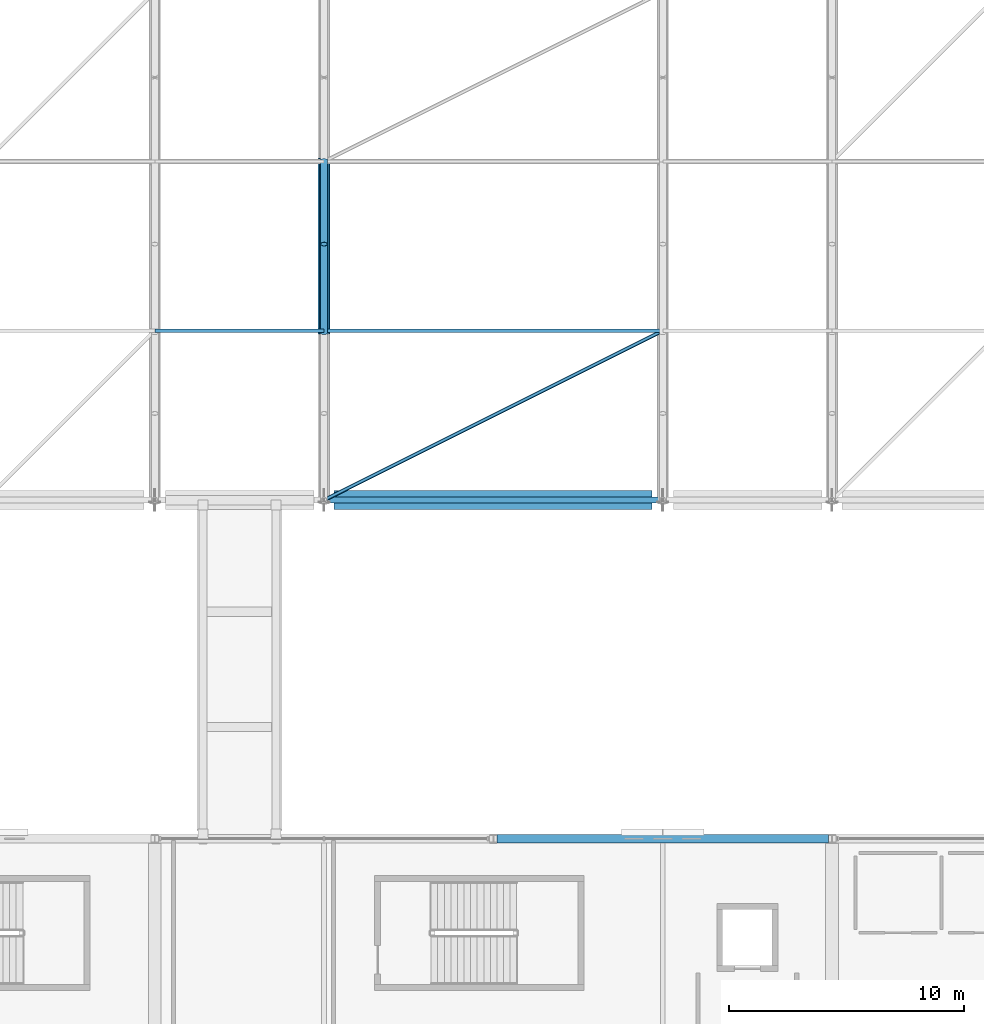
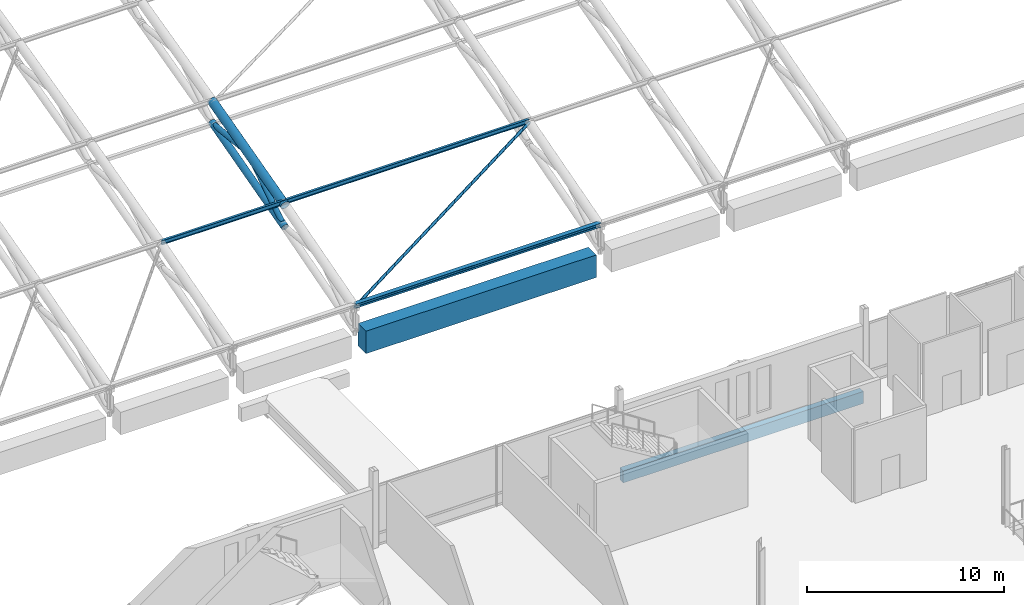
# One storey, part 26 of 193: 8 members, 2 beams.
"""IFC4 building model written with IfcOpenShell, lengths in metres."""

from ifc_helpers import new_model, si_unit, direction, frame, origin, origin_2d, place, context, subcontext, project, spatial, rectangle, hollow_circle, i_section, extrude, material, material_profile, profile_set, type_object, element, save


model = new_model("IFC4")

# Units and contexts
model_context = context("Model", 3, precision=1e-05, world=origin(), true_north=direction((0.0, 1.0)))
body_context = subcontext(model_context, "Body", "Model", "MODEL_VIEW")
ifc_project = project(units=[si_unit("LENGTHUNIT", "METRE"), si_unit("AREAUNIT", "SQUARE_METRE"), si_unit("VOLUMEUNIT", "CUBIC_METRE"), si_unit("PLANEANGLEUNIT", "RADIAN"), si_unit("MASSUNIT", "GRAM", prefix="KILO")], contexts=[model_context])

# Site, building, storey
site_placement = place(None, origin())
site = spatial("IfcSite", under=ifc_project, at=site_placement, CompositionType="ELEMENT")
building_placement = place(site_placement, origin())
building = spatial("IfcBuilding", under=site, at=building_placement, Name="Cendralis Lancet Convention Centre", CompositionType="ELEMENT")
storey_placement = place(building_placement, frame((0.0, 0.0, 10.199951171875)))
storey = spatial("IfcBuildingStorey", under=building, at=storey_placement, Name="L02", CompositionType="ELEMENT", Elevation=10.199951171875)

# Beam
ifc_material_1 = material(Name="Concrete G40 (C40/50)", Category="concrete")
ifc_material_profile_1 = material_profile(ifc_material_1, rectangle(XDim=0.800048828125, YDim=1.39990234375, at=origin_2d()), Name="RCB 800x1400")
ifc_profile_set_1 = profile_set([ifc_material_profile_1], Name="Concrete G40 (C40/50)")
beam_type_1 = type_object("IfcBeamType", Name="STR-BM-BG17", PredefinedType="BEAM", material=ifc_profile_set_1)
beam_1_placement = place(storey_placement, frame((22.02490234375, 50.39990234375, 1.5), z_axis=(1.0, 0.0, 0.0), x_axis=(0.0, 1.0, 0.0)))
element("IfcBeam", 1, at=beam_1_placement, inside=storey, type_object=beam_type_1, Name="L02 Beam BG17 #1312", PredefinedType="BEAM", context=body_context, shape_type="SweptSolid", body=[
    extrude(rectangle(XDim=0.800048828125, YDim=1.39990234375, at=origin_2d()), origin(), (0.0, 0.0, 1.0), 13.525146484375),
])

# Members
ifc_material_2 = material(Name="Steel S355", Category="steel")
ifc_material_profile_2 = material_profile(ifc_material_2, hollow_circle(Radius=0.084228515625, WallThickness=0.008056640625, at=origin_2d()), Name="CHS 168.3x8.0")
ifc_profile_set_2 = profile_set([ifc_material_profile_2], Name="Steel S355")
member_type_1 = type_object("IfcMemberType", Name="STR-BR-RB01", PredefinedType="BRACE", material=ifc_profile_set_2)
member_1_placement = place(storey_placement, frame((21.60009765625, 50.39990234375, 3.60009765625), z_axis=(0.887211413019, 0.44362074858, 0.126714403433), x_axis=(-0.447225726904, 0.894421125195, 0.0)))
element("IfcMember", 2, at=member_1_placement, inside=storey, type_object=member_type_1, Name="Roof Diaphragm Brace RB01 V1-03-00A", PredefinedType="BRACE", context=body_context, shape_type="SweptSolid", body=[
    extrude(hollow_circle(Radius=0.084228515625, WallThickness=0.008056640625, at=origin_2d()), origin(), (0.0, 0.0, 1.0), 16.23046875),
])
ifc_material_profile_3 = material_profile(ifc_material_2, i_section(OverallWidth=0.135009765625, OverallDepth=0.27001953125, WebThickness=0.006591796875, FlangeThickness=0.01025390625, FilletRadius=0.014892578125, at=origin_2d()), Name="IPE 270")
ifc_profile_set_3 = profile_set([ifc_material_profile_3], Name="Steel S355")
member_type_2 = type_object("IfcMemberType", Name="STR-PR-PR01", PredefinedType="PURLIN", material=ifc_profile_set_3)
member_2_placement = place(storey_placement, frame((14.39990234375, 57.60009765625, 5.771728515625), z_axis=(1.0, 0.0, 0.0), x_axis=(0.0, 1.0, 0.0)))
element("IfcMember", 3, at=member_2_placement, inside=storey, type_object=member_type_2, Name="Vault Roof Purlin PR01 V1-02-01", PredefinedType="PURLIN", context=body_context, shape_type="SweptSolid", body=[
    extrude(i_section(OverallWidth=0.135009765625, OverallDepth=0.27001953125, WebThickness=0.006591796875, FlangeThickness=0.01025390625, FilletRadius=0.014892578125, at=origin_2d()), origin(), (0.0, 0.0, 1.0), 7.2001953125),
])
member_3_placement = place(storey_placement, frame((21.60009765625, 57.60009765625, 5.771728515625), z_axis=(1.0, 0.0, 0.0), x_axis=(0.0, 1.0, 0.0)))
element("IfcMember", 4, at=member_3_placement, inside=storey, type_object=member_type_2, Name="Vault Roof Purlin PR01 V1-03-01", PredefinedType="PURLIN", context=body_context, shape_type="SweptSolid", body=[
    extrude(i_section(OverallWidth=0.135009765625, OverallDepth=0.27001953125, WebThickness=0.006591796875, FlangeThickness=0.01025390625, FilletRadius=0.014892578125, at=origin_2d()), origin(), (0.0, 0.0, 1.0), 14.39990234375),
])
ifc_material_profile_4 = material_profile(ifc_material_2, i_section(OverallWidth=0.260009765625, OverallDepth=0.25, WebThickness=0.007568359375, FlangeThickness=0.012451171875, FilletRadius=0.02392578125, at=origin_2d()), Name="HEA 260")
ifc_profile_set_4 = profile_set([ifc_material_profile_4], Name="Steel S355")
member_type_3 = type_object("IfcMemberType", Name="STR-PR-PR07", PredefinedType="PURLIN", material=ifc_profile_set_4)
member_4_placement = place(storey_placement, frame((21.60009765625, 50.39990234375, 3.72509765625), z_axis=(1.0, 0.0, 0.0), x_axis=(0.0, 1.0, 0.0)))
element("IfcMember", 5, at=member_4_placement, inside=storey, type_object=member_type_3, Name="Vault Roof Purlin PR07 V1-03-00", PredefinedType="PURLIN", context=body_context, shape_type="SweptSolid", body=[
    extrude(i_section(OverallWidth=0.260009765625, OverallDepth=0.25, WebThickness=0.007568359375, FlangeThickness=0.012451171875, FilletRadius=0.02392578125, at=origin_2d()), origin(), (0.0, 0.0, 1.0), 14.39990234375),
])

# Beam
ifc_material_profile_5 = material_profile(ifc_material_1, rectangle(XDim=0.35009765625, YDim=0.75, at=origin_2d()), Name="RCB 350x750")
ifc_profile_set_5 = profile_set([ifc_material_profile_5], Name="Concrete G40 (C40/50)")
beam_type_2 = type_object("IfcBeamType", Name="STR-SP-SP01", PredefinedType="SPANDREL", material=ifc_profile_set_5)
beam_2_placement = place(storey_placement, frame((28.949951171875, 36.0, -0.675048828125), z_axis=(1.0, 0.0, 0.0), x_axis=(0.0, 1.0, 0.0)))
element("IfcBeam", 6, at=beam_2_placement, inside=storey, type_object=beam_type_2, Name="L02 Beam SP01 #0844", PredefinedType="SPANDREL", context=body_context, shape_type="SweptSolid", body=[
    extrude(rectangle(XDim=0.35009765625, YDim=0.75, at=origin_2d()), origin(), (0.0, 0.0, 1.0), 14.10009765625),
])

# Members
ifc_material_profile_6 = material_profile(ifc_material_2, hollow_circle(Radius=0.203125, WallThickness=0.01611328125, at=origin_2d()), Name="CHS 406.4x16.0")
ifc_profile_set_6 = profile_set([ifc_material_profile_6], Name="Steel S355")
member_type_4 = type_object("IfcMemberType", Name="STR-TR-BC01-INT", PredefinedType="CHORD", material=ifc_profile_set_6)
member_5_placement = place(storey_placement, frame((21.60009765625, 57.484130859375, 4.262451171875), z_axis=(0.0, 0.964987331955, 0.262296490953), x_axis=(-1.0, 0.0, 0.0)))
element("IfcMember", 7, at=member_5_placement, inside=storey, type_object=member_type_4, Name="ROOF TRUSS AT-V1-04 Bottom Chord 01", PredefinedType="CHORD", context=body_context, shape_type="SweptSolid", body=[
    extrude(hollow_circle(Radius=0.203125, WallThickness=0.01611328125, at=origin_2d()), origin(), (0.0, 0.0, 1.0), 7.701171875),
])
ifc_material_profile_7 = material_profile(ifc_material_2, hollow_circle(Radius=0.25390625, WallThickness=0.02001953125, at=origin_2d()), Name="CHS 508.0x20.0")
ifc_profile_set_7 = profile_set([ifc_material_profile_7], Name="Steel S355")
member_type_5 = type_object("IfcMemberType", Name="STR-TR-TC01-INT", PredefinedType="CHORD", material=ifc_profile_set_7)
member_6_placement = place(storey_placement, frame((21.60009765625, 57.484130859375, 5.625732421875), z_axis=(0.0, 0.966247582415, 0.257615235337), x_axis=(-1.0, 0.0, 0.0)))
element("IfcMember", 8, at=member_6_placement, inside=storey, type_object=member_type_5, Name="ROOF TRUSS AT-V1-04 Top Chord 01", PredefinedType="CHORD", context=body_context, shape_type="SweptSolid", body=[
    extrude(hollow_circle(Radius=0.25390625, WallThickness=0.02001953125, at=origin_2d()), origin(), (0.0, 0.0, 1.0), 7.69140625),
])
ifc_material_profile_8 = material_profile(ifc_material_2, hollow_circle(Radius=0.149169921875, WallThickness=0.012451171875, at=origin_2d()), Name="CHS 298.5x12.5")
ifc_profile_set_8 = profile_set([ifc_material_profile_8], Name="Steel S355")
member_type_6 = type_object("IfcMemberType", Name="STR-TR-WD01-INT", PredefinedType="BRACE", material=ifc_profile_set_8)
member_7_placement = place(storey_placement, frame((21.60009765625, 57.51611328125, 4.23974609375), z_axis=(0.0, 0.840291047389, 0.542135551018), x_axis=(-1.0, 0.0, 0.0)))
element("IfcMember", 9, at=member_7_placement, inside=storey, type_object=member_type_6, Name="ROOF TRUSS AT-V1-04 Warren Web 01-0", PredefinedType="BRACE", context=body_context, shape_type="SweptSolid", body=[
    extrude(hollow_circle(Radius=0.149169921875, WallThickness=0.012451171875, at=origin_2d()), origin(), (0.0, 0.0, 1.0), 4.48388671875),
])
member_8_placement = place(storey_placement, frame((21.60009765625, 61.1005859375, 6.626708984375), z_axis=(0.0, 0.99488409704, -0.101022935304), x_axis=(-1.0, 0.0, 0.0)))
element("IfcMember", 10, at=member_8_placement, inside=storey, type_object=member_type_6, Name="ROOF TRUSS AT-V1-04 Warren Web 01-1", PredefinedType="BRACE", context=body_context, shape_type="SweptSolid", body=[
    extrude(hollow_circle(Radius=0.149169921875, WallThickness=0.012451171875, at=origin_2d()), origin(), (0.0, 0.0, 1.0), 3.818359375),
])

save(model, "model.ifc")
